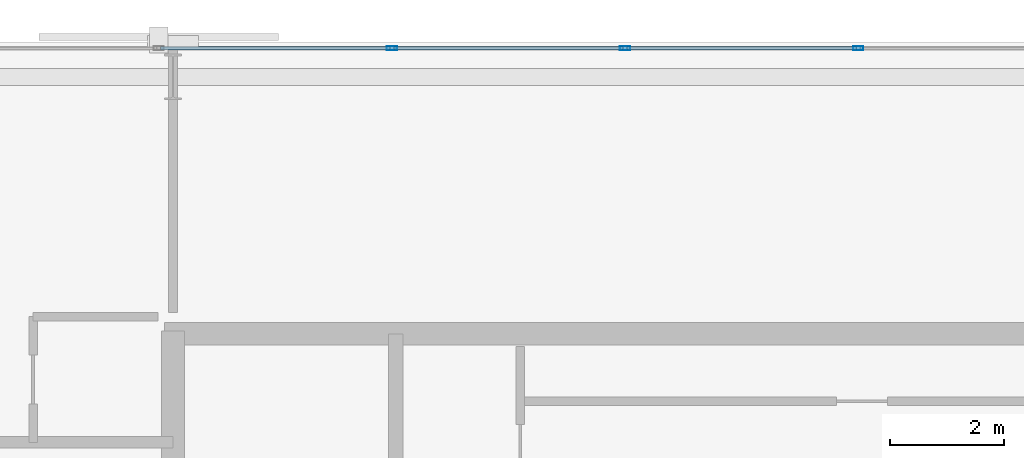
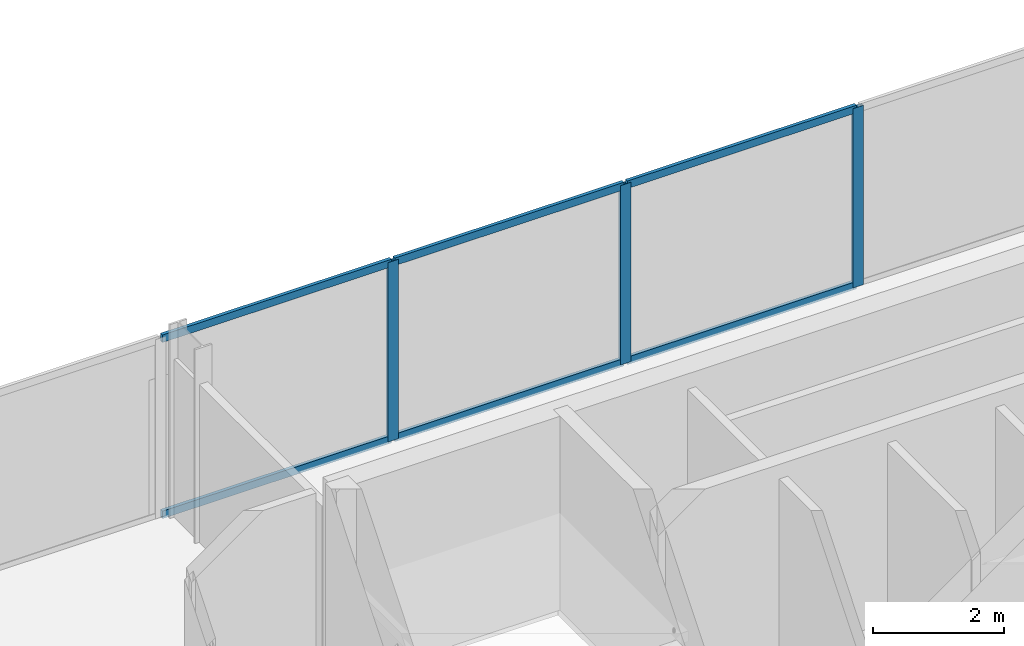
# One storey, part 22 of 32: 9 members, 1 element without a shape of its own.
"""IFC4 building model written with IfcOpenShell, lengths in metres."""

from ifc_helpers import new_model, si_unit, direction, frame, origin, origin_2d, place, context, subcontext, project, spatial, hollow_rectangle, extrude, material, layer, layer_set, material_profile, profile_set, type_object, element, aggregate, save


model = new_model("IFC4")

# Units and contexts
model_context = context("Model", 3, precision=1e-05, world=origin(), true_north=direction((0.0, 1.0)))
body_context = subcontext(model_context, "Body", "Model", "MODEL_VIEW")
ifc_project = project(units=[si_unit("LENGTHUNIT", "METRE"), si_unit("AREAUNIT", "SQUARE_METRE"), si_unit("VOLUMEUNIT", "CUBIC_METRE"), si_unit("PLANEANGLEUNIT", "RADIAN"), si_unit("MASSUNIT", "GRAM", prefix="KILO")], contexts=[model_context])

# Site, building, storey
site_placement = place(None, origin())
site = spatial("IfcSite", under=ifc_project, at=site_placement, CompositionType="ELEMENT")
building_placement = place(site_placement, origin())
building = spatial("IfcBuilding", under=site, at=building_placement, Name="Catumbela Crestline Tower", CompositionType="ELEMENT")
storey_placement = place(building_placement, frame((0.0, 0.0, 61.8)))
storey = spatial("IfcBuildingStorey", under=building, at=storey_placement, Name="L15", CompositionType="ELEMENT", Elevation=61.8)

# Curtain wall, members
ifc_material = material(Name="Aluminium alloy AW-6060-T66", Category="aluminium")
ifc_layer = layer(ifc_material, 0.18, Name="Aluminium alloy AW-6060-T66")
ifc_layer_set = layer_set([ifc_layer], Name="Aluminium alloy AW-6060-T66")
curtain_wall_type = type_object("IfcCurtainWallType", Name="CWU-Z1", PredefinedType="USERDEFINED", material=ifc_layer_set)
curtain_wall_placement = place(storey_placement, origin())
curtain_wall = element("IfcCurtainWall", 1, at=curtain_wall_placement, inside=storey, type_object=curtain_wall_type, Name="L15 Unitised Curtain Wall CW-L15-E7S1", ObjectType="UNITISED", PredefinedType="USERDEFINED")
ifc_material_profile_1 = material_profile(ifc_material, hollow_rectangle(XDim=0.065, YDim=0.18, WallThickness=0.004, at=origin_2d()), Name="ALU 180x65x4")
ifc_profile_set_1 = profile_set([ifc_material_profile_1], Name="Aluminium alloy AW-6060-T66")
member_type_1 = type_object("IfcMemberType", Name="MUL-180X65", PredefinedType="MULLION", material=ifc_profile_set_1)
member_1_placement = place(storey_placement, frame((28.0, 47.9, 0.0), z_axis=(0.0, 0.0, 1.0), x_axis=(0.0, -1.0, 0.0)))
member_1 = element("IfcMember", 2, at=member_1_placement, type_object=member_type_1, Name="CWU-Z1 mullion 7", PredefinedType="MULLION", context=body_context, shape_type="SweptSolid", body=[
    extrude(hollow_rectangle(XDim=0.065, YDim=0.18, WallThickness=0.004, at=origin_2d()), origin(), (0.0, 0.0, 1.0), 3.33),
])
member_2_placement = place(storey_placement, frame((23.9167, 47.9, 0.0), z_axis=(0.0, 0.0, 1.0), x_axis=(0.0, -1.0, 0.0)))
member_2 = element("IfcMember", 3, at=member_2_placement, type_object=member_type_1, Name="CWU-Z1 mullion 8", PredefinedType="MULLION", context=body_context, shape_type="SweptSolid", body=[
    extrude(hollow_rectangle(XDim=0.065, YDim=0.18, WallThickness=0.004, at=origin_2d()), origin(), (0.0, 0.0, 1.0), 3.33),
])
member_3_placement = place(storey_placement, frame((19.8333, 47.9, 0.0), z_axis=(0.0, 0.0, 1.0), x_axis=(0.0, -1.0, 0.0)))
member_3 = element("IfcMember", 4, at=member_3_placement, type_object=member_type_1, Name="CWU-Z1 mullion 9", PredefinedType="MULLION", context=body_context, shape_type="SweptSolid", body=[
    extrude(hollow_rectangle(XDim=0.065, YDim=0.18, WallThickness=0.004, at=origin_2d()), origin(), (0.0, 0.0, 1.0), 3.33),
])
ifc_material_profile_2 = material_profile(ifc_material, hollow_rectangle(XDim=0.06, YDim=0.14, WallThickness=0.004, at=origin_2d()), Name="ALU 140x60x4")
ifc_profile_set_2 = profile_set([ifc_material_profile_2], Name="Aluminium alloy AW-6060-T66")
member_type_2 = type_object("IfcMemberType", Name="TRN-140X60", PredefinedType="USERDEFINED", material=ifc_profile_set_2)
member_4_placement = place(storey_placement, frame((27.9675, 47.9, 0.03), z_axis=(-1.0, 0.0, 0.0), x_axis=(0.0, -1.0, 0.0)))
member_4 = element("IfcMember", 5, at=member_4_placement, type_object=member_type_2, Name="CWU-Z1 transom 7.1", ObjectType="TRANSOM", PredefinedType="USERDEFINED", context=body_context, shape_type="SweptSolid", body=[
    extrude(hollow_rectangle(XDim=0.06, YDim=0.14, WallThickness=0.004, at=origin_2d()), origin(), (0.0, 0.0, 1.0), 4.0183),
])
member_5_placement = place(storey_placement, frame((27.9675, 47.9, 3.3), z_axis=(-1.0, 0.0, 0.0), x_axis=(0.0, -1.0, 0.0)))
member_5 = element("IfcMember", 6, at=member_5_placement, type_object=member_type_2, Name="CWU-Z1 transom 7.2", ObjectType="TRANSOM", PredefinedType="USERDEFINED", context=body_context, shape_type="SweptSolid", body=[
    extrude(hollow_rectangle(XDim=0.06, YDim=0.14, WallThickness=0.004, at=origin_2d()), origin(), (0.0, 0.0, 1.0), 4.0183),
])
member_6_placement = place(storey_placement, frame((23.8842, 47.9, 0.03), z_axis=(-1.0, 0.0, 0.0), x_axis=(0.0, -1.0, 0.0)))
member_6 = element("IfcMember", 7, at=member_6_placement, type_object=member_type_2, Name="CWU-Z1 transom 8.1", ObjectType="TRANSOM", PredefinedType="USERDEFINED", context=body_context, shape_type="SweptSolid", body=[
    extrude(hollow_rectangle(XDim=0.06, YDim=0.14, WallThickness=0.004, at=origin_2d()), origin(), (0.0, 0.0, 1.0), 4.0184),
])
member_7_placement = place(storey_placement, frame((23.8842, 47.9, 3.3), z_axis=(-1.0, 0.0, 0.0), x_axis=(0.0, -1.0, 0.0)))
member_7 = element("IfcMember", 8, at=member_7_placement, type_object=member_type_2, Name="CWU-Z1 transom 8.2", ObjectType="TRANSOM", PredefinedType="USERDEFINED", context=body_context, shape_type="SweptSolid", body=[
    extrude(hollow_rectangle(XDim=0.06, YDim=0.14, WallThickness=0.004, at=origin_2d()), origin(), (0.0, 0.0, 1.0), 4.0184),
])
member_8_placement = place(storey_placement, frame((19.8008, 47.9, 0.03), z_axis=(-1.0, 0.0, 0.0), x_axis=(0.0, -1.0, 0.0)))
member_8 = element("IfcMember", 9, at=member_8_placement, type_object=member_type_2, Name="CWU-Z1 transom 9.1", ObjectType="TRANSOM", PredefinedType="USERDEFINED", context=body_context, shape_type="SweptSolid", body=[
    extrude(hollow_rectangle(XDim=0.06, YDim=0.14, WallThickness=0.004, at=origin_2d()), origin(), (0.0, 0.0, 1.0), 4.0183),
])
member_9_placement = place(storey_placement, frame((19.8008, 47.9, 3.3), z_axis=(-1.0, 0.0, 0.0), x_axis=(0.0, -1.0, 0.0)))
member_9 = element("IfcMember", 10, at=member_9_placement, type_object=member_type_2, Name="CWU-Z1 transom 9.2", ObjectType="TRANSOM", PredefinedType="USERDEFINED", context=body_context, shape_type="SweptSolid", body=[
    extrude(hollow_rectangle(XDim=0.06, YDim=0.14, WallThickness=0.004, at=origin_2d()), origin(), (0.0, 0.0, 1.0), 4.0183),
])
aggregate(curtain_wall, [member_1, member_2, member_3, member_4, member_5, member_6, member_7, member_8, member_9])

save(model, "model.ifc")
